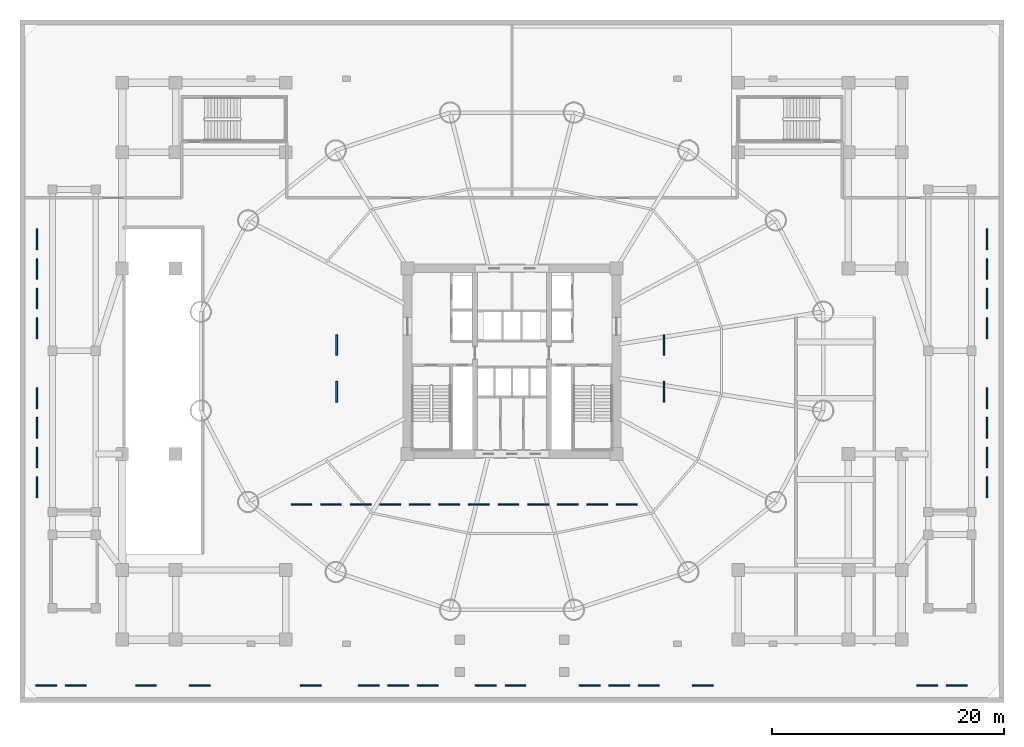
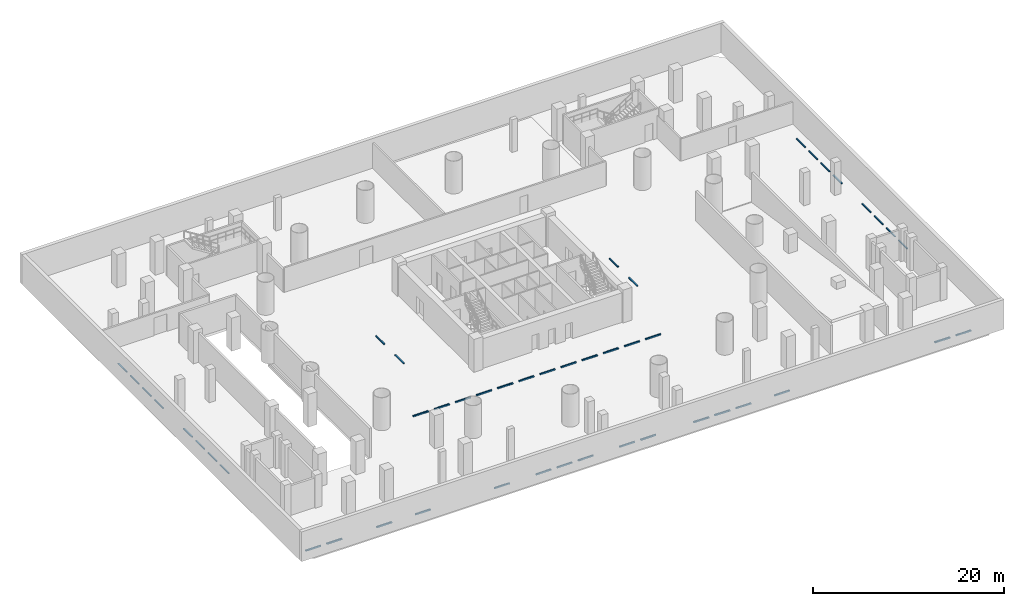
# One storey, part 8 of 11: 48 discrete accessories.
"""IFC4 building model written with IfcOpenShell, lengths in metres."""

from ifc_helpers import new_model, si_unit, direction, frame, origin, origin_2d, place, context, subcontext, project, spatial, rectangle, extrude, source, transform, mapped, material, layer, layer_set, type_object, element, save


model = new_model("IFC4")

# Units and contexts
model_context = context("Model", 3, precision=1e-05, world=origin(), true_north=direction((-0.2419218956, 0.970295726276)))
body_context = subcontext(model_context, "Body", "Model", "MODEL_VIEW")
ifc_project = project(units=[si_unit("LENGTHUNIT", "METRE"), si_unit("AREAUNIT", "SQUARE_METRE"), si_unit("VOLUMEUNIT", "CUBIC_METRE"), si_unit("PLANEANGLEUNIT", "RADIAN"), si_unit("MASSUNIT", "GRAM", prefix="KILO")], contexts=[model_context])

# Site, building, storey
site_placement = place(None, origin())
site = spatial("IfcSite", under=ifc_project, at=site_placement, CompositionType="ELEMENT")
building_placement = place(site_placement, origin())
building = spatial("IfcBuilding", under=site, at=building_placement, Name="Cobrevalo Terracotta Tower", CompositionType="ELEMENT")
storey_placement = place(building_placement, frame((0.0, 0.0, -4.199951171875)))
storey = spatial("IfcBuildingStorey", under=building, at=storey_placement, Name="B01", CompositionType="ELEMENT", Elevation=-4.199951171875)

# Discrete accessories
ifc_material = material(Name="Precast concrete C45", Category="concrete")
ifc_layer_1 = layer(ifc_material, 0.1201171875)
ifc_layer_set_1 = layer_set([ifc_layer_1], Name="Precast concrete C45")
discrete_accessory_type_1 = type_object("IfcDiscreteAccessoryType", Name="Accessible parking bay wheel stop", PredefinedType="USERDEFINED", material=ifc_layer_set_1)
shared_shape = source(origin(), body_context, "Body", "SweptSolid", [
    extrude(rectangle(XDim=1.800048828125, YDim=0.14990234375, at=origin_2d()), origin(), (0.0, 0.0, 1.0), 0.1201171875),
])
for number, where, z_axis, x_axis, name in (
    (1, (22.89990234375, 28.199951171875, 0.0), (0.0, 0.0, 1.0), (0.0, 1.0, 0.0), "B01 Accessible parking bay wheel stop PK-B01-A01"),
    (2, (22.89990234375, 24.14990234375, 0.0), (0.0, 0.0, 1.0), (0.0, 1.0, 0.0), "B01 Accessible parking bay wheel stop PK-B01-A02"),
    (3, (51.10009765625, 28.199951171875, 0.0), (0.0, 0.0, 1.0), (0.0, 1.0, 0.0), "B01 Accessible parking bay wheel stop PK-B01-A03"),
    (4, (51.10009765625, 24.14990234375, 0.0), (0.0, 0.0, 1.0), (0.0, 1.0, 0.0), "B01 Accessible parking bay wheel stop PK-B01-A04"),
):
    element("IfcDiscreteAccessory", number, at=place(storey_placement, frame(where, z_axis=z_axis, x_axis=x_axis)), inside=storey, type_object=discrete_accessory_type_1, Name=name, ObjectType="WHEEL STOP", PredefinedType="USERDEFINED", context=body_context, shape_type="MappedRepresentation", body=[
        mapped(shared_shape, transform((0.0, 0.0, 0.0), scale=1.0)),
    ])
ifc_layer_2 = layer(ifc_material, 0.1201171875)
ifc_layer_set_2 = layer_set([ifc_layer_2], Name="Precast concrete C45")
discrete_accessory_type_2 = type_object("IfcDiscreteAccessoryType", Name="Precast concrete parking bay wheel stop", PredefinedType="USERDEFINED", material=ifc_layer_set_2)
for number, where, z_axis, x_axis, name in (
    (5, (-2.14990234375, -1.14990234375, 0.0), (0.0, 0.0, 1.0), (1.0, 0.0, 0.0), "B01 Precast concrete parking bay wheel stop PK-B01-01"),
    (6, (0.39990234375, -1.14990234375, 0.0), (0.0, 0.0, 1.0), (1.0, 0.0, 0.0), "B01 Precast concrete parking bay wheel stop PK-B01-02"),
    (7, (6.449951171875, -1.14990234375, 0.0), (0.0, 0.0, 1.0), (1.0, 0.0, 0.0), "B01 Precast concrete parking bay wheel stop PK-B01-03"),
    (8, (11.10009765625, -1.14990234375, 0.0), (0.0, 0.0, 1.0), (1.0, 0.0, 0.0), "B01 Precast concrete parking bay wheel stop PK-B01-04"),
    (9, (20.64990234375, -1.14990234375, 0.0), (0.0, 0.0, 1.0), (1.0, 0.0, 0.0), "B01 Precast concrete parking bay wheel stop PK-B01-05"),
    (10, (25.64990234375, -1.14990234375, 0.0), (0.0, 0.0, 1.0), (1.0, 0.0, 0.0), "B01 Precast concrete parking bay wheel stop PK-B01-06"),
    (11, (28.199951171875, -1.14990234375, 0.0), (0.0, 0.0, 1.0), (1.0, 0.0, 0.0), "B01 Precast concrete parking bay wheel stop PK-B01-07"),
    (12, (30.75, -1.14990234375, 0.0), (0.0, 0.0, 1.0), (1.0, 0.0, 0.0), "B01 Precast concrete parking bay wheel stop PK-B01-08"),
    (13, (35.75, -1.14990234375, 0.0), (0.0, 0.0, 1.0), (1.0, 0.0, 0.0), "B01 Precast concrete parking bay wheel stop PK-B01-09"),
    (14, (38.300048828125, -1.14990234375, 0.0), (0.0, 0.0, 1.0), (1.0, 0.0, 0.0), "B01 Precast concrete parking bay wheel stop PK-B01-10"),
    (15, (44.699951171875, -1.14990234375, 0.0), (0.0, 0.0, 1.0), (1.0, 0.0, 0.0), "B01 Precast concrete parking bay wheel stop PK-B01-11"),
    (16, (47.25, -1.14990234375, 0.0), (0.0, 0.0, 1.0), (1.0, 0.0, 0.0), "B01 Precast concrete parking bay wheel stop PK-B01-12"),
    (17, (49.800048828125, -1.14990234375, 0.0), (0.0, 0.0, 1.0), (1.0, 0.0, 0.0), "B01 Precast concrete parking bay wheel stop PK-B01-13"),
    (18, (54.449951171875, -1.14990234375, 0.0), (0.0, 0.0, 1.0), (1.0, 0.0, 0.0), "B01 Precast concrete parking bay wheel stop PK-B01-14"),
    (19, (73.800048828125, -1.14990234375, 0.0), (0.0, 0.0, 1.0), (1.0, 0.0, 0.0), "B01 Precast concrete parking bay wheel stop PK-B01-15"),
    (20, (76.35009765625, -1.14990234375, 0.0), (0.0, 0.0, 1.0), (1.0, 0.0, 0.0), "B01 Precast concrete parking bay wheel stop PK-B01-16"),
    (21, (-2.949951171875, 15.949951171875, 0.0), (0.0, 0.0, 1.0), (0.0, 1.0, 0.0), "B01 Precast concrete parking bay wheel stop PK-B01-17"),
    (22, (-2.949951171875, 18.5, 0.0), (0.0, 0.0, 1.0), (0.0, 1.0, 0.0), "B01 Precast concrete parking bay wheel stop PK-B01-18"),
    (23, (-2.949951171875, 21.050048828125, 0.0), (0.0, 0.0, 1.0), (0.0, 1.0, 0.0), "B01 Precast concrete parking bay wheel stop PK-B01-19"),
    (24, (-2.949951171875, 23.60009765625, 0.0), (0.0, 0.0, 1.0), (0.0, 1.0, 0.0), "B01 Precast concrete parking bay wheel stop PK-B01-20"),
    (25, (-2.949951171875, 29.64990234375, 0.0), (0.0, 0.0, 1.0), (0.0, 1.0, 0.0), "B01 Precast concrete parking bay wheel stop PK-B01-21"),
    (26, (-2.949951171875, 32.199951171875, 0.0), (0.0, 0.0, 1.0), (0.0, 1.0, 0.0), "B01 Precast concrete parking bay wheel stop PK-B01-22"),
    (27, (-2.949951171875, 34.75, 0.0), (0.0, 0.0, 1.0), (0.0, 1.0, 0.0), "B01 Precast concrete parking bay wheel stop PK-B01-23"),
    (28, (-2.949951171875, 37.300048828125, 0.0), (0.0, 0.0, 1.0), (0.0, 1.0, 0.0), "B01 Precast concrete parking bay wheel stop PK-B01-24"),
    (29, (78.949951171875, 15.949951171875, 0.0), (0.0, 0.0, 1.0), (0.0, 1.0, 0.0), "B01 Precast concrete parking bay wheel stop PK-B01-25"),
    (30, (78.949951171875, 18.5, 0.0), (0.0, 0.0, 1.0), (0.0, 1.0, 0.0), "B01 Precast concrete parking bay wheel stop PK-B01-26"),
    (31, (78.949951171875, 21.050048828125, 0.0), (0.0, 0.0, 1.0), (0.0, 1.0, 0.0), "B01 Precast concrete parking bay wheel stop PK-B01-27"),
    (32, (78.949951171875, 23.60009765625, 0.0), (0.0, 0.0, 1.0), (0.0, 1.0, 0.0), "B01 Precast concrete parking bay wheel stop PK-B01-28"),
    (33, (78.949951171875, 29.64990234375, 0.0), (0.0, 0.0, 1.0), (0.0, 1.0, 0.0), "B01 Precast concrete parking bay wheel stop PK-B01-29"),
    (34, (78.949951171875, 32.199951171875, 0.0), (0.0, 0.0, 1.0), (0.0, 1.0, 0.0), "B01 Precast concrete parking bay wheel stop PK-B01-30"),
    (35, (78.949951171875, 34.75, 0.0), (0.0, 0.0, 1.0), (0.0, 1.0, 0.0), "B01 Precast concrete parking bay wheel stop PK-B01-31"),
    (36, (78.949951171875, 37.300048828125, 0.0), (0.0, 0.0, 1.0), (0.0, 1.0, 0.0), "B01 Precast concrete parking bay wheel stop PK-B01-32"),
    (37, (19.85009765625, 14.449951171875, 0.0), (0.0, 0.0, 1.0), (1.0, 0.0, 0.0), "B01 Precast concrete parking bay wheel stop PK-B01-33"),
    (38, (22.39990234375, 14.449951171875, 0.0), (0.0, 0.0, 1.0), (1.0, 0.0, 0.0), "B01 Precast concrete parking bay wheel stop PK-B01-34"),
    (39, (24.949951171875, 14.449951171875, 0.0), (0.0, 0.0, 1.0), (1.0, 0.0, 0.0), "B01 Precast concrete parking bay wheel stop PK-B01-35"),
    (40, (27.5, 14.449951171875, 0.0), (0.0, 0.0, 1.0), (1.0, 0.0, 0.0), "B01 Precast concrete parking bay wheel stop PK-B01-36"),
    (41, (30.050048828125, 14.449951171875, 0.0), (0.0, 0.0, 1.0), (1.0, 0.0, 0.0), "B01 Precast concrete parking bay wheel stop PK-B01-37"),
    (42, (32.60009765625, 14.449951171875, 0.0), (0.0, 0.0, 1.0), (1.0, 0.0, 0.0), "B01 Precast concrete parking bay wheel stop PK-B01-38"),
    (43, (35.14990234375, 14.449951171875, 0.0), (0.0, 0.0, 1.0), (1.0, 0.0, 0.0), "B01 Precast concrete parking bay wheel stop PK-B01-39"),
    (44, (37.699951171875, 14.449951171875, 0.0), (0.0, 0.0, 1.0), (1.0, 0.0, 0.0), "B01 Precast concrete parking bay wheel stop PK-B01-40"),
    (45, (40.25, 14.449951171875, 0.0), (0.0, 0.0, 1.0), (1.0, 0.0, 0.0), "B01 Precast concrete parking bay wheel stop PK-B01-41"),
    (46, (42.800048828125, 14.449951171875, 0.0), (0.0, 0.0, 1.0), (1.0, 0.0, 0.0), "B01 Precast concrete parking bay wheel stop PK-B01-42"),
    (47, (45.35009765625, 14.449951171875, 0.0), (0.0, 0.0, 1.0), (1.0, 0.0, 0.0), "B01 Precast concrete parking bay wheel stop PK-B01-43"),
    (48, (47.89990234375, 14.449951171875, 0.0), (0.0, 0.0, 1.0), (1.0, 0.0, 0.0), "B01 Precast concrete parking bay wheel stop PK-B01-44"),
):
    element("IfcDiscreteAccessory", number, at=place(storey_placement, frame(where, z_axis=z_axis, x_axis=x_axis)), inside=storey, type_object=discrete_accessory_type_2, Name=name, ObjectType="WHEEL STOP", PredefinedType="USERDEFINED", context=body_context, shape_type="MappedRepresentation", body=[
        mapped(shared_shape, transform((0.0, 0.0, 0.0), scale=1.0)),
    ])

save(model, "model.ifc")
